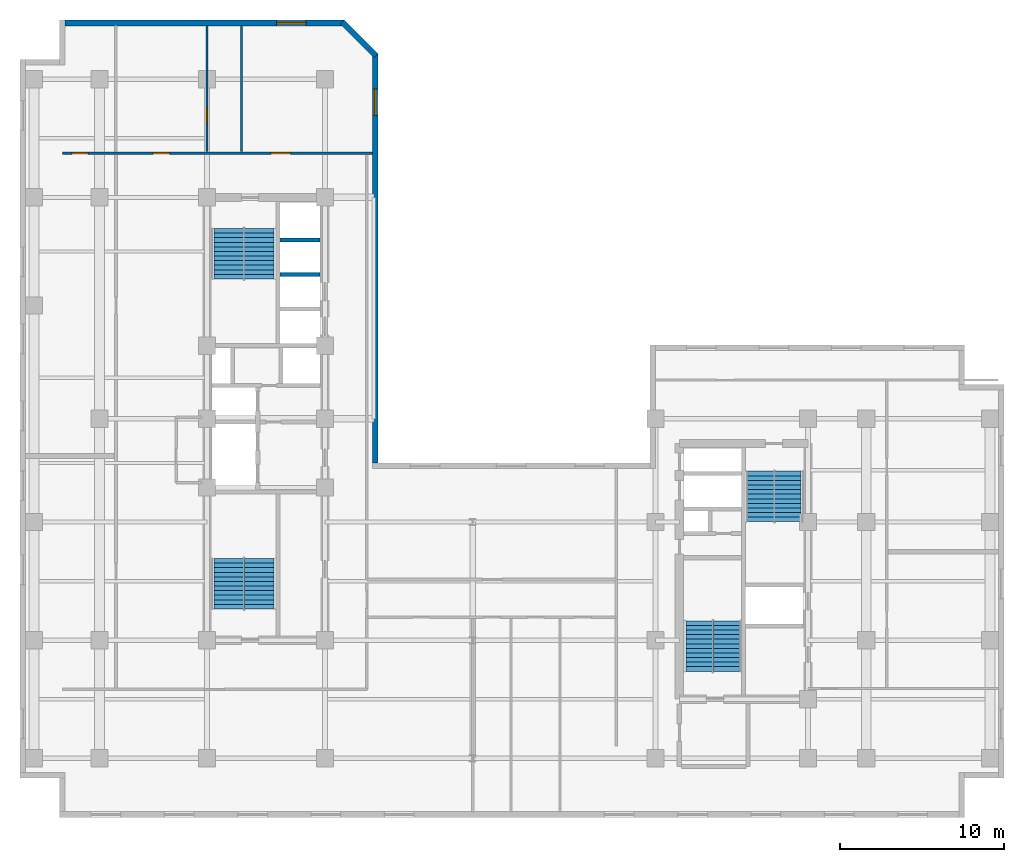
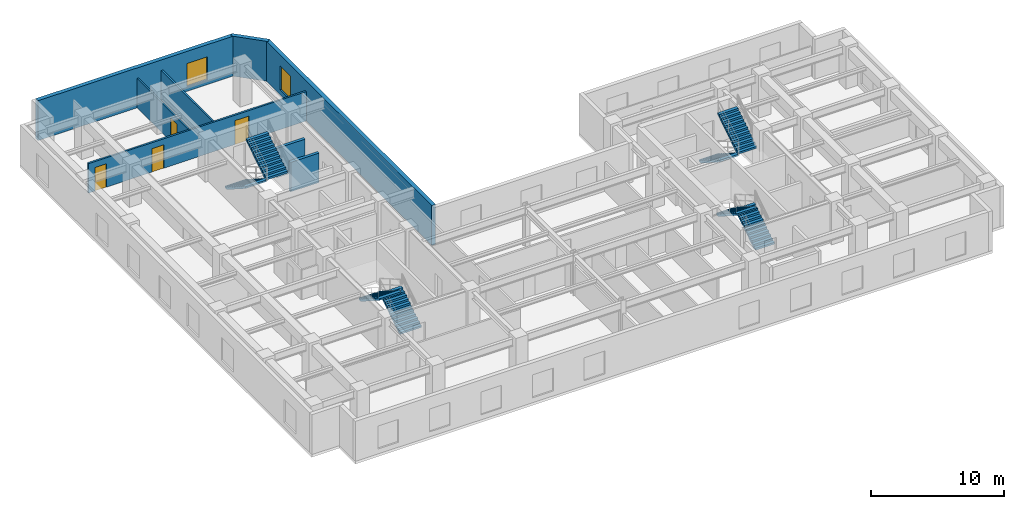
# One storey, part 6 of 9: 8 stair flights, 8 walls, 4 doors, 2 windows, 6 openings, 4 elements without a shape of their own.
"""IFC4 building model written with IfcOpenShell, lengths in metres."""

from ifc_helpers import new_model, entity, si_unit, converted_unit, direction, frame, origin_with_axes, origin_2d_with_axis, place, context, subcontext, project, spatial, polyline, rectangle, outline, extrude, material, layer, layer_set, type_object, element, fill, aggregate, save


model = new_model("IFC4")

# Units and contexts
model_context = context("Model", 3, precision=1e-05, world=origin_with_axes(), true_north=direction((0.0, 1.0)))
body_context = subcontext(model_context, "Body", "Model", "MODEL_VIEW")
ifc_project = project(units=[si_unit("LENGTHUNIT", "METRE"), si_unit("AREAUNIT", "SQUARE_METRE"), si_unit("VOLUMEUNIT", "CUBIC_METRE"), converted_unit("PLANEANGLEUNIT", "DEGREE", entity("IfcPlaneAngleMeasure", 0.017453292519943295), si_unit("PLANEANGLEUNIT", "RADIAN"), dimensions=[0, 0, 0, 0, 0, 0, 0]), si_unit("MASSUNIT", "GRAM", prefix="KILO"), si_unit("THERMODYNAMICTEMPERATUREUNIT", "KELVIN")], contexts=[model_context])

# Site, building, storey
site_placement = place(None, origin_with_axes())
site = spatial("IfcSite", under=ifc_project, at=site_placement, CompositionType="ELEMENT")
building_placement = place(site_placement, origin_with_axes())
building = spatial("IfcBuilding", under=site, at=building_placement, Name="Varnlund Millrace Tower", CompositionType="ELEMENT")
storey_placement = place(building_placement, frame((0.0, 0.0, 136.8), z_axis=(0.0, 0.0, 1.0), x_axis=(1.0, 0.0, 0.0)))
storey = spatial("IfcBuildingStorey", under=building, at=storey_placement, Name="L33", CompositionType="ELEMENT", Elevation=136.8)

# Wall, opening, window
ifc_material_1 = material(Name="Precast concrete C50/60", Category="concrete")
ifc_layer_1 = layer(ifc_material_1, 0.34, Name="Precast concrete C50/60")
ifc_layer_set_1 = layer_set([ifc_layer_1], Name="Precast concrete C50/60")
wall_type_1 = type_object("IfcWallType", Name="Type-ExtWall-Precast-Upper-340", PredefinedType="SOLIDWALL", material=ifc_layer_set_1)
wall_1_placement = place(storey_placement, frame((2.74, 48.43, 0.0), z_axis=(0.0, 0.0, 1.0), x_axis=(1.0, 0.0, 0.0)))
wall_1 = element("IfcWall", 1, at=wall_1_placement, inside=storey, type_object=wall_type_1, Name="Type-ExtWall-Precast-Upper-340", PredefinedType="SOLIDWALL", context=body_context, shape_type="SweptSolid", body=[
    extrude(outline(polyline([(0.0, -0.17), (17.045, -0.17), (17.045, 0.17), (0.0, 0.17), (0.0, -0.17)])), origin_with_axes(), (0.0, 0.0, 1.0), 3.66),
])
opening_1_placement = place(wall_1_placement, frame((13.804, 0.0, 0.45), z_axis=(0.0, 0.0, 1.0), x_axis=(1.0, 0.0, 0.0)))
opening_1 = element("IfcOpeningElement", 2, at=opening_1_placement, cuts=wall_1, Name="Opening L33:WN-25", PredefinedType="OPENING", context=body_context, shape_type="SweptSolid", body=[
    extrude(rectangle(XDim=1.8, YDim=0.36, at=origin_2d_with_axis()), origin_with_axes(), (0.0, 0.0, 1.0), 2.1),
])
ifc_material_2 = material(Name="Argon low-e triple glazing in thermally broken bronze frame", Category="glass")
window_type_1 = type_object("IfcWindowType", Name="Type-Window-Punched-1800X2100", PartitioningType="SINGLE_PANEL", PredefinedType="WINDOW", material=ifc_material_2)
window_1_placement = place(wall_1_placement, frame((13.804, 0.0, 0.45), z_axis=(0.0, 0.0, 1.0), x_axis=(1.0, 0.0, 0.0)))
window_1 = element("IfcWindow", 3, at=window_1_placement, inside=storey, type_object=window_type_1, Name="Type-Window-Punched-1800X2100", OverallHeight=2.1, OverallWidth=1.8, PredefinedType="WINDOW", context=body_context, shape_type="SweptSolid", body=[
    extrude(rectangle(XDim=1.8, YDim=0.09, at=origin_2d_with_axis()), origin_with_axes(), (0.0, 0.0, 1.0), 2.1),
])
fill(opening_1, window_1)

# Wall
wall_2_placement = place(storey_placement, frame((19.651, 48.494, 0.0), z_axis=(0.0, 0.0, 1.0), x_axis=(0.707107, -0.707107, 0.0)))
element("IfcWall", 4, at=wall_2_placement, inside=storey, type_object=wall_type_1, Name="Type-ExtWall-Precast-Upper-340", PredefinedType="SOLIDWALL", context=body_context, shape_type="SweptSolid", body=[
    extrude(outline(polyline([(0.0, -0.17), (2.904795, -0.17), (2.904795, 0.17), (0.0, 0.17), (0.0, -0.17)])), origin_with_axes(), (0.0, 0.0, 1.0), 3.66),
])

# Wall, opening, window
wall_3_placement = place(storey_placement, frame((21.655, 46.58, 0.0), z_axis=(0.0, 0.0, 1.0), x_axis=(0.0, -1.0, 0.0)))
wall_3 = element("IfcWall", 5, at=wall_3_placement, inside=storey, type_object=wall_type_1, Name="Type-ExtWall-Precast-Upper-340", PredefinedType="SOLIDWALL", context=body_context, shape_type="SweptSolid", body=[
    extrude(outline(polyline([(0.0, -0.17), (24.98, -0.17), (24.98, 0.17), (0.0, 0.17), (0.0, -0.17)])), origin_with_axes(), (0.0, 0.0, 1.0), 3.66),
])
opening_2_placement = place(wall_3_placement, frame((2.978, 0.0, 0.45), z_axis=(0.0, 0.0, 1.0), x_axis=(1.0, 0.0, 0.0)))
opening_2 = element("IfcOpeningElement", 6, at=opening_2_placement, cuts=wall_3, Name="Opening L33:WN-26", PredefinedType="OPENING", context=body_context, shape_type="SweptSolid", body=[
    extrude(rectangle(XDim=1.6, YDim=0.36, at=origin_2d_with_axis()), origin_with_axes(), (0.0, 0.0, 1.0), 2.2),
])
window_type_2 = type_object("IfcWindowType", Name="Type-Window-Slot-1600X2200", PartitioningType="SINGLE_PANEL", PredefinedType="WINDOW", material=ifc_material_2)
window_2_placement = place(wall_3_placement, frame((2.978, 0.0, 0.45), z_axis=(0.0, 0.0, 1.0), x_axis=(1.0, 0.0, 0.0)))
window_2 = element("IfcWindow", 7, at=window_2_placement, inside=storey, type_object=window_type_2, Name="Type-Window-Slot-1600X2200", OverallHeight=2.2, OverallWidth=1.6, PredefinedType="WINDOW", context=body_context, shape_type="SweptSolid", body=[
    extrude(rectangle(XDim=1.6, YDim=0.09, at=origin_2d_with_axis()), origin_with_axes(), (0.0, 0.0, 1.0), 2.2),
])
fill(opening_2, window_2)

# Wall, openings, doors
ifc_material_3 = material(Name="Fire-rated gypsum board on cold-formed steel framing", Category="steel")
ifc_layer_2 = layer(ifc_material_3, 0.16, Name="Fire-rated gypsum board on cold-formed steel framing")
ifc_layer_set_2 = layer_set([ifc_layer_2], Name="Fire-rated gypsum board on cold-formed steel framing")
wall_type_2 = type_object("IfcWallType", Name="Type-Partition-Corridor-160", PredefinedType="PARTITIONING", material=ifc_layer_set_2)
wall_4_placement = place(storey_placement, frame((2.6, 40.5, 0.0), z_axis=(0.0, 0.0, 1.0), x_axis=(1.0, 0.0, 0.0)))
wall_4 = element("IfcWall", 8, at=wall_4_placement, inside=storey, type_object=wall_type_2, Name="Type-Partition-Corridor-160", PredefinedType="PARTITIONING", context=body_context, shape_type="SweptSolid", body=[
    extrude(outline(polyline([(0.0, -0.08), (18.89, -0.08), (18.89, 0.08), (0.0, 0.08), (0.0, -0.08)])), origin_with_axes(), (0.0, 0.0, 1.0), 2.7),
])
opening_3_placement = place(wall_4_placement, frame((1.057, 0.0, 0.0), z_axis=(0.0, 0.0, 1.0), x_axis=(1.0, 0.0, 0.0)))
opening_3 = element("IfcOpeningElement", 9, at=opening_3_placement, cuts=wall_4, Name="Opening L33:DR-WAN-01", PredefinedType="OPENING", context=body_context, shape_type="SweptSolid", body=[
    extrude(rectangle(XDim=1.0, YDim=0.18, at=origin_2d_with_axis()), origin_with_axes(), (0.0, 0.0, 1.0), 2.15),
])
opening_4_placement = place(wall_4_placement, frame((6.0225, 0.0, 0.0), z_axis=(0.0, 0.0, 1.0), x_axis=(1.0, 0.0, 0.0)))
opening_4 = element("IfcOpeningElement", 10, at=opening_4_placement, cuts=wall_4, Name="Opening L33:DR-WAN-02", PredefinedType="OPENING", context=body_context, shape_type="SweptSolid", body=[
    extrude(rectangle(XDim=1.0, YDim=0.18, at=origin_2d_with_axis()), origin_with_axes(), (0.0, 0.0, 1.0), 2.15),
])
opening_5_placement = place(wall_4_placement, frame((13.3005, 0.0, 0.0), z_axis=(0.0, 0.0, 1.0), x_axis=(1.0, 0.0, 0.0)))
opening_5 = element("IfcOpeningElement", 11, at=opening_5_placement, cuts=wall_4, Name="Opening L33:DR-WAN-04", PredefinedType="OPENING", context=body_context, shape_type="SweptSolid", body=[
    extrude(rectangle(XDim=1.2, YDim=0.18, at=origin_2d_with_axis()), origin_with_axes(), (0.0, 0.0, 1.0), 2.2),
])
ifc_material_4 = material(Name="Wide executive white oak acoustic door")
door_type_1 = type_object("IfcDoorType", Name="Type-IntDoor-Exec-1200X2200", OperationType="NOTDEFINED", PredefinedType="DOOR", material=ifc_material_4)
door_1_placement = place(wall_4_placement, frame((13.3005, 0.0, 0.0), z_axis=(0.0, 0.0, 1.0), x_axis=(1.0, 0.0, 0.0)))
door_1 = element("IfcDoor", 12, at=door_1_placement, inside=storey, type_object=door_type_1, Name="Type-IntDoor-Exec-1200X2200", OperationType="SINGLE_SWING_RIGHT", OverallHeight=2.2, OverallWidth=1.2, PredefinedType="DOOR", context=body_context, shape_type="SweptSolid", body=[
    extrude(rectangle(XDim=1.2, YDim=0.09, at=origin_2d_with_axis()), origin_with_axes(), (0.0, 0.0, 1.0), 2.2),
])
fill(opening_5, door_1)
ifc_material_5 = material(Name="Solid-core white oak and bronze frame door")
door_type_2 = type_object("IfcDoorType", Name="Type-IntDoor-Office-1000X2150", OperationType="NOTDEFINED", PredefinedType="DOOR", material=ifc_material_5)
door_2_placement = place(wall_4_placement, frame((1.057, 0.0, 0.0), z_axis=(0.0, 0.0, 1.0), x_axis=(1.0, 0.0, 0.0)))
door_2 = element("IfcDoor", 13, at=door_2_placement, inside=storey, type_object=door_type_2, Name="Type-IntDoor-Office-1000X2150", OperationType="SINGLE_SWING_LEFT", OverallHeight=2.15, OverallWidth=1.0, PredefinedType="DOOR", context=body_context, shape_type="SweptSolid", body=[
    extrude(rectangle(XDim=1.0, YDim=0.09, at=origin_2d_with_axis()), origin_with_axes(), (0.0, 0.0, 1.0), 2.15),
])
fill(opening_3, door_2)
door_3_placement = place(wall_4_placement, frame((6.0225, 0.0, 0.0), z_axis=(0.0, 0.0, 1.0), x_axis=(1.0, 0.0, 0.0)))
door_3 = element("IfcDoor", 14, at=door_3_placement, inside=storey, type_object=door_type_2, Name="Type-IntDoor-Office-1000X2150", OperationType="SINGLE_SWING_RIGHT", OverallHeight=2.15, OverallWidth=1.0, PredefinedType="DOOR", context=body_context, shape_type="SweptSolid", body=[
    extrude(rectangle(XDim=1.0, YDim=0.09, at=origin_2d_with_axis()), origin_with_axes(), (0.0, 0.0, 1.0), 2.15),
])
fill(opening_4, door_3)

# Wall
ifc_material_6 = material(Name="Acoustic STC-50 gypsum board partition", Category="gypsum")
ifc_layer_3 = layer(ifc_material_6, 0.15, Name="Acoustic STC-50 gypsum board partition")
ifc_layer_set_3 = layer_set([ifc_layer_3], Name="Acoustic STC-50 gypsum board partition")
wall_type_3 = type_object("IfcWallType", Name="Type-Partition-Demising-150", PredefinedType="PARTITIONING", material=ifc_layer_set_3)
wall_5_placement = place(storey_placement, frame((13.506, 40.6, 0.0), z_axis=(0.0, 0.0, 1.0), x_axis=(0.0, 1.0, 0.0)))
element("IfcWall", 15, at=wall_5_placement, inside=storey, type_object=wall_type_3, Name="Type-Partition-Demising-150", PredefinedType="PARTITIONING", context=body_context, shape_type="SweptSolid", body=[
    extrude(outline(polyline([(0.0, -0.075), (7.665, -0.075), (7.665, 0.075), (0.0, 0.075), (0.0, -0.075)])), origin_with_axes(), (0.0, 0.0, 1.0), 2.7),
])

# Wall, opening, door
ifc_material_7 = material(Name="Gypsum board tenant partition", Category="gypsum")
ifc_layer_4 = layer(ifc_material_7, 0.125, Name="Gypsum board tenant partition")
ifc_layer_set_4 = layer_set([ifc_layer_4], Name="Gypsum board tenant partition")
wall_type_4 = type_object("IfcWallType", Name="Type-Partition-Tenant-125", PredefinedType="PARTITIONING", material=ifc_layer_set_4)
wall_6_placement = place(storey_placement, frame((11.4, 40.6, 0.0), z_axis=(0.0, 0.0, 1.0), x_axis=(0.0, 1.0, 0.0)))
wall_6 = element("IfcWall", 16, at=wall_6_placement, inside=storey, type_object=wall_type_4, Name="Type-Partition-Tenant-125", PredefinedType="PARTITIONING", context=body_context, shape_type="SweptSolid", body=[
    extrude(outline(polyline([(0.0, -0.0625), (7.665, -0.0625), (7.665, 0.0625), (0.0, 0.0625), (0.0, -0.0625)])), origin_with_axes(), (0.0, 0.0, 1.0), 2.7),
])
opening_6_placement = place(wall_6_placement, frame((2.17, 0.0, 0.0), z_axis=(0.0, 0.0, 1.0), x_axis=(1.0, 0.0, 0.0)))
opening_6 = element("IfcOpeningElement", 17, at=opening_6_placement, cuts=wall_6, Name="Opening L33:DR-WAN-03", PredefinedType="OPENING", context=body_context, shape_type="SweptSolid", body=[
    extrude(rectangle(XDim=0.95, YDim=0.145, at=origin_2d_with_axis()), origin_with_axes(), (0.0, 0.0, 1.0), 2.15),
])
ifc_material_8 = material(Name="Solid-core acoustic office door")
door_type_3 = type_object("IfcDoorType", Name="Type-IntDoor-Tenant-950X2150", OperationType="NOTDEFINED", PredefinedType="DOOR", material=ifc_material_8)
door_4_placement = place(wall_6_placement, frame((2.17, 0.0, 0.0), z_axis=(0.0, 0.0, 1.0), x_axis=(1.0, 0.0, 0.0)))
door_4 = element("IfcDoor", 18, at=door_4_placement, inside=storey, type_object=door_type_3, Name="Type-IntDoor-Tenant-950X2150", OperationType="SINGLE_SWING_LEFT", OverallHeight=2.15, OverallWidth=0.95, PredefinedType="DOOR", context=body_context, shape_type="SweptSolid", body=[
    extrude(rectangle(XDim=0.95, YDim=0.075, at=origin_2d_with_axis()), origin_with_axes(), (0.0, 0.0, 1.0), 2.15),
])
fill(opening_6, door_4)

# Walls
ifc_material_9 = material(Name="Concrete C60/75", Category="concrete")
ifc_layer_5 = layer(ifc_material_9, 0.25, Name="Concrete C60/75")
ifc_layer_set_5 = layer_set([ifc_layer_5], Name="Concrete C60/75")
wall_type_5 = type_object("IfcWallType", Name="Type-ShaftWall-Fire-250", PredefinedType="SOLIDWALL", material=ifc_layer_set_5)
for number, where, z_axis, x_axis, name in (
    (19, (15.84, 33.1, 0.0), (0.0, 0.0, 1.0), (1.0, 0.0, 0.0), "Type-ShaftWall-Fire-250"),
    (20, (15.84, 35.2, 0.0), (0.0, 0.0, 1.0), (1.0, 0.0, 0.0), "Type-ShaftWall-Fire-250"),
):
    element("IfcWall", number, at=place(storey_placement, frame(where, z_axis=z_axis, x_axis=x_axis)), inside=storey, type_object=wall_type_5, Name=name, PredefinedType="SOLIDWALL", context=body_context, shape_type="SweptSolid", body=[
        extrude(outline(polyline([(0.0, -0.125), (2.46, -0.125), (2.46, 0.125), (0.0, 0.125), (0.0, -0.125)])), origin_with_axes(), (0.0, 0.0, 1.0), 2.7),
    ])

# Stair, stair flights
ifc_material_10 = material(Name="Concrete C50/60", Category="concrete")
stair_type_1 = type_object("IfcStairType", Name="Type-Stair-Dogleg-165-390", PredefinedType="HALF_TURN_STAIR", material=ifc_material_10)
stair_1_placement = place(storey_placement, origin_with_axes())
stair_1 = element("IfcStair", 21, at=stair_1_placement, inside=storey, type_object=stair_type_1, Name="Type-Stair-Dogleg-165-390", PredefinedType="HALF_TURN_STAIR")
stair_flight_type_1 = type_object("IfcStairFlightType", Name="Type-Dogleg-Run-165-390", PredefinedType="STRAIGHT", material=ifc_material_1)
stair_flight_1_placement = place(storey_placement, frame((42.225, 8.9, 0.0), z_axis=(1.0, 0.0, 0.0), x_axis=(0.0, 1.0, 0.0)))
stair_flight_1 = element("IfcStairFlight", 22, at=stair_flight_1_placement, type_object=stair_flight_type_1, Name="ST-B1 flight 1", NumberOfRisers=11, NumberOfTreads=11, PredefinedType="STRAIGHT", RiserHeight=0.177273, TreadLength=0.28, context=body_context, shape_type="SweptSolid", body=[
    extrude(outline(polyline([(0.0, 0.0), (0.0, 0.177273), (0.28, 0.177273), (0.28, 0.354545), (0.56, 0.354545), (0.56, 0.531818), (0.84, 0.531818), (0.84, 0.709091), (1.12, 0.709091), (1.12, 0.886364), (1.4, 0.886364), (1.4, 1.063636), (1.68, 1.063636), (1.68, 1.240909), (1.96, 1.240909), (1.96, 1.418182), (2.24, 1.418182), (2.24, 1.595454), (2.52, 1.595454), (2.52, 1.772727), (2.8, 1.772727), (2.8, 1.95), (3.08, 1.95), (3.08, 1.8), (0.28, 0.0), (0.0, 0.0)])), origin_with_axes(), (0.0, 0.0, 1.0), 1.65),
])
stair_flight_2_placement = place(storey_placement, frame((42.275, 11.98, 1.95), z_axis=(-1.0, 0.0, 0.0), x_axis=(0.0, -1.0, 0.0)))
stair_flight_2 = element("IfcStairFlight", 23, at=stair_flight_2_placement, type_object=stair_flight_type_1, Name="ST-B1 flight 2", NumberOfRisers=11, NumberOfTreads=11, PredefinedType="STRAIGHT", RiserHeight=0.177273, TreadLength=0.28, context=body_context, shape_type="SweptSolid", body=[
    extrude(outline(polyline([(0.0, 0.0), (0.0, 0.177273), (0.28, 0.177273), (0.28, 0.354545), (0.56, 0.354545), (0.56, 0.531818), (0.84, 0.531818), (0.84, 0.709091), (1.12, 0.709091), (1.12, 0.886364), (1.4, 0.886364), (1.4, 1.063636), (1.68, 1.063636), (1.68, 1.240909), (1.96, 1.240909), (1.96, 1.418182), (2.24, 1.418182), (2.24, 1.595454), (2.52, 1.595454), (2.52, 1.772727), (2.8, 1.772727), (2.8, 1.95), (3.08, 1.95), (3.08, 1.8), (0.28, 0.0), (0.0, 0.0)])), origin_with_axes(), (0.0, 0.0, 1.0), 1.65),
])
aggregate(stair_1, [stair_flight_1, stair_flight_2])

stair_2_placement = place(storey_placement, origin_with_axes())
stair_2 = element("IfcStair", 24, at=stair_2_placement, inside=storey, type_object=stair_type_1, Name="Type-Stair-Dogleg-165-390", PredefinedType="HALF_TURN_STAIR")
stair_flight_3_placement = place(storey_placement, frame((46.025, 21.1, 0.0), z_axis=(-1.0, 0.0, 0.0), x_axis=(0.0, -1.0, 0.0)))
stair_flight_3 = element("IfcStairFlight", 25, at=stair_flight_3_placement, type_object=stair_flight_type_1, Name="ST-B2 flight 1", NumberOfRisers=11, NumberOfTreads=11, PredefinedType="STRAIGHT", RiserHeight=0.177273, TreadLength=0.28, context=body_context, shape_type="SweptSolid", body=[
    extrude(outline(polyline([(0.0, 0.0), (0.0, 0.177273), (0.28, 0.177273), (0.28, 0.354545), (0.56, 0.354545), (0.56, 0.531818), (0.84, 0.531818), (0.84, 0.709091), (1.12, 0.709091), (1.12, 0.886364), (1.4, 0.886364), (1.4, 1.063636), (1.68, 1.063636), (1.68, 1.240909), (1.96, 1.240909), (1.96, 1.418182), (2.24, 1.418182), (2.24, 1.595454), (2.52, 1.595454), (2.52, 1.772727), (2.8, 1.772727), (2.8, 1.95), (3.08, 1.95), (3.08, 1.8), (0.28, 0.0), (0.0, 0.0)])), origin_with_axes(), (0.0, 0.0, 1.0), 1.65),
])
stair_flight_4_placement = place(storey_placement, frame((45.975, 18.02, 1.95), z_axis=(1.0, 0.0, 0.0), x_axis=(0.0, 1.0, 0.0)))
stair_flight_4 = element("IfcStairFlight", 26, at=stair_flight_4_placement, type_object=stair_flight_type_1, Name="ST-B2 flight 2", NumberOfRisers=11, NumberOfTreads=11, PredefinedType="STRAIGHT", RiserHeight=0.177273, TreadLength=0.28, context=body_context, shape_type="SweptSolid", body=[
    extrude(outline(polyline([(0.0, 0.0), (0.0, 0.177273), (0.28, 0.177273), (0.28, 0.354545), (0.56, 0.354545), (0.56, 0.531818), (0.84, 0.531818), (0.84, 0.709091), (1.12, 0.709091), (1.12, 0.886364), (1.4, 0.886364), (1.4, 1.063636), (1.68, 1.063636), (1.68, 1.240909), (1.96, 1.240909), (1.96, 1.418182), (2.24, 1.418182), (2.24, 1.595454), (2.52, 1.595454), (2.52, 1.772727), (2.8, 1.772727), (2.8, 1.95), (3.08, 1.95), (3.08, 1.8), (0.28, 0.0), (0.0, 0.0)])), origin_with_axes(), (0.0, 0.0, 1.0), 1.65),
])
aggregate(stair_2, [stair_flight_3, stair_flight_4])

stair_type_2 = type_object("IfcStairType", Name="Type-Stair-Dogleg-185-390", PredefinedType="HALF_TURN_STAIR", material=ifc_material_10)
stair_3_placement = place(storey_placement, origin_with_axes())
stair_3 = element("IfcStair", 27, at=stair_3_placement, inside=storey, type_object=stair_type_2, Name="Type-Stair-Dogleg-185-390", PredefinedType="HALF_TURN_STAIR")
stair_flight_type_2 = type_object("IfcStairFlightType", Name="Type-Dogleg-Run-185-390", PredefinedType="STRAIGHT", material=ifc_material_1)
stair_flight_5_placement = place(storey_placement, frame((13.625, 12.7, 0.0), z_axis=(1.0, 0.0, 0.0), x_axis=(0.0, 1.0, 0.0)))
stair_flight_5 = element("IfcStairFlight", 28, at=stair_flight_5_placement, type_object=stair_flight_type_2, Name="ST-A1 flight 1", NumberOfRisers=11, NumberOfTreads=11, PredefinedType="STRAIGHT", RiserHeight=0.177273, TreadLength=0.28, context=body_context, shape_type="SweptSolid", body=[
    extrude(outline(polyline([(0.0, 0.0), (0.0, 0.177273), (0.28, 0.177273), (0.28, 0.354545), (0.56, 0.354545), (0.56, 0.531818), (0.84, 0.531818), (0.84, 0.709091), (1.12, 0.709091), (1.12, 0.886364), (1.4, 0.886364), (1.4, 1.063636), (1.68, 1.063636), (1.68, 1.240909), (1.96, 1.240909), (1.96, 1.418182), (2.24, 1.418182), (2.24, 1.595454), (2.52, 1.595454), (2.52, 1.772727), (2.8, 1.772727), (2.8, 1.95), (3.08, 1.95), (3.08, 1.8), (0.28, 0.0), (0.0, 0.0)])), origin_with_axes(), (0.0, 0.0, 1.0), 1.85),
])
stair_flight_6_placement = place(storey_placement, frame((13.675, 15.78, 1.95), z_axis=(-1.0, 0.0, 0.0), x_axis=(0.0, -1.0, 0.0)))
stair_flight_6 = element("IfcStairFlight", 29, at=stair_flight_6_placement, type_object=stair_flight_type_2, Name="ST-A1 flight 2", NumberOfRisers=11, NumberOfTreads=11, PredefinedType="STRAIGHT", RiserHeight=0.177273, TreadLength=0.28, context=body_context, shape_type="SweptSolid", body=[
    extrude(outline(polyline([(0.0, 0.0), (0.0, 0.177273), (0.28, 0.177273), (0.28, 0.354545), (0.56, 0.354545), (0.56, 0.531818), (0.84, 0.531818), (0.84, 0.709091), (1.12, 0.709091), (1.12, 0.886364), (1.4, 0.886364), (1.4, 1.063636), (1.68, 1.063636), (1.68, 1.240909), (1.96, 1.240909), (1.96, 1.418182), (2.24, 1.418182), (2.24, 1.595454), (2.52, 1.595454), (2.52, 1.772727), (2.8, 1.772727), (2.8, 1.95), (3.08, 1.95), (3.08, 1.8), (0.28, 0.0), (0.0, 0.0)])), origin_with_axes(), (0.0, 0.0, 1.0), 1.85),
])
aggregate(stair_3, [stair_flight_5, stair_flight_6])

stair_4_placement = place(storey_placement, origin_with_axes())
stair_4 = element("IfcStair", 30, at=stair_4_placement, inside=storey, type_object=stair_type_2, Name="Type-Stair-Dogleg-185-390", PredefinedType="HALF_TURN_STAIR")
stair_flight_7_placement = place(storey_placement, frame((13.675, 35.9, 0.0), z_axis=(-1.0, 0.0, 0.0), x_axis=(0.0, -1.0, 0.0)))
stair_flight_7 = element("IfcStairFlight", 31, at=stair_flight_7_placement, type_object=stair_flight_type_2, Name="ST-A2 flight 1", NumberOfRisers=11, NumberOfTreads=11, PredefinedType="STRAIGHT", RiserHeight=0.177273, TreadLength=0.28, context=body_context, shape_type="SweptSolid", body=[
    extrude(outline(polyline([(0.0, 0.0), (0.0, 0.177273), (0.28, 0.177273), (0.28, 0.354545), (0.56, 0.354545), (0.56, 0.531818), (0.84, 0.531818), (0.84, 0.709091), (1.12, 0.709091), (1.12, 0.886364), (1.4, 0.886364), (1.4, 1.063636), (1.68, 1.063636), (1.68, 1.240909), (1.96, 1.240909), (1.96, 1.418182), (2.24, 1.418182), (2.24, 1.595454), (2.52, 1.595454), (2.52, 1.772727), (2.8, 1.772727), (2.8, 1.95), (3.08, 1.95), (3.08, 1.8), (0.28, 0.0), (0.0, 0.0)])), origin_with_axes(), (0.0, 0.0, 1.0), 1.85),
])
stair_flight_8_placement = place(storey_placement, frame((13.625, 32.82, 1.95), z_axis=(1.0, 0.0, 0.0), x_axis=(0.0, 1.0, 0.0)))
stair_flight_8 = element("IfcStairFlight", 32, at=stair_flight_8_placement, type_object=stair_flight_type_2, Name="ST-A2 flight 2", NumberOfRisers=11, NumberOfTreads=11, PredefinedType="STRAIGHT", RiserHeight=0.177273, TreadLength=0.28, context=body_context, shape_type="SweptSolid", body=[
    extrude(outline(polyline([(0.0, 0.0), (0.0, 0.177273), (0.28, 0.177273), (0.28, 0.354545), (0.56, 0.354545), (0.56, 0.531818), (0.84, 0.531818), (0.84, 0.709091), (1.12, 0.709091), (1.12, 0.886364), (1.4, 0.886364), (1.4, 1.063636), (1.68, 1.063636), (1.68, 1.240909), (1.96, 1.240909), (1.96, 1.418182), (2.24, 1.418182), (2.24, 1.595454), (2.52, 1.595454), (2.52, 1.772727), (2.8, 1.772727), (2.8, 1.95), (3.08, 1.95), (3.08, 1.8), (0.28, 0.0), (0.0, 0.0)])), origin_with_axes(), (0.0, 0.0, 1.0), 1.85),
])
aggregate(stair_4, [stair_flight_7, stair_flight_8])

save(model, "model.ifc")
